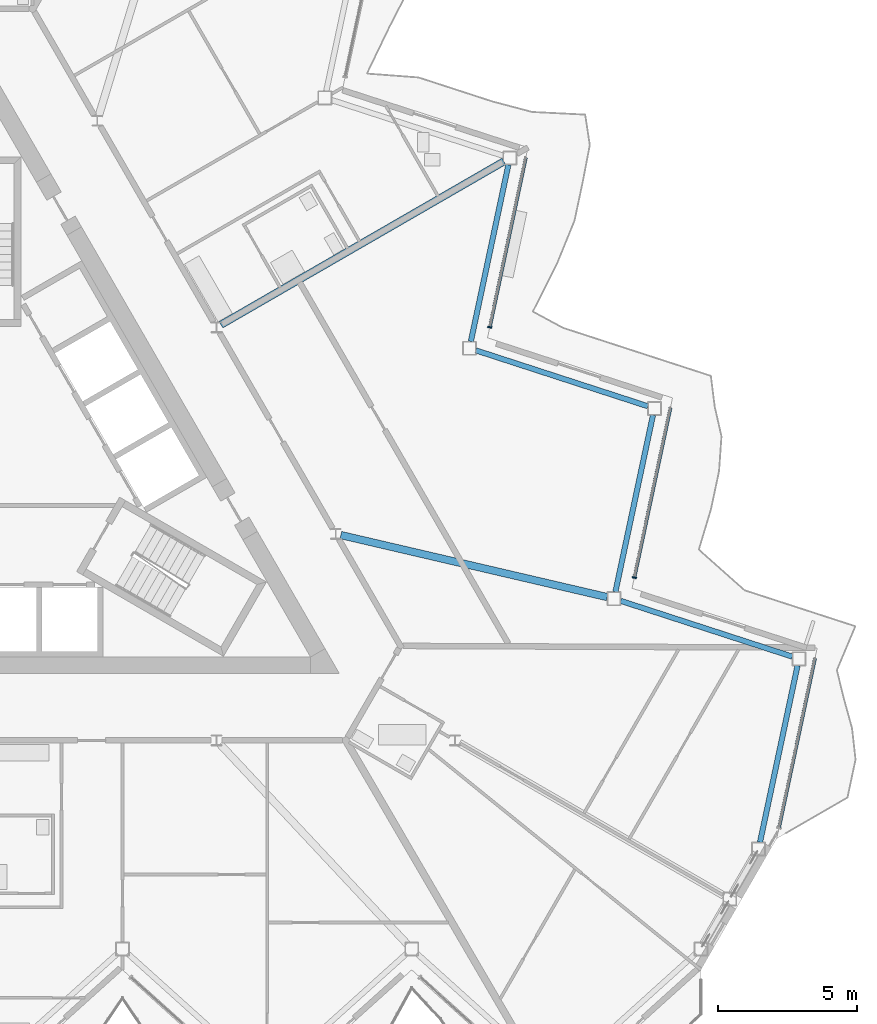
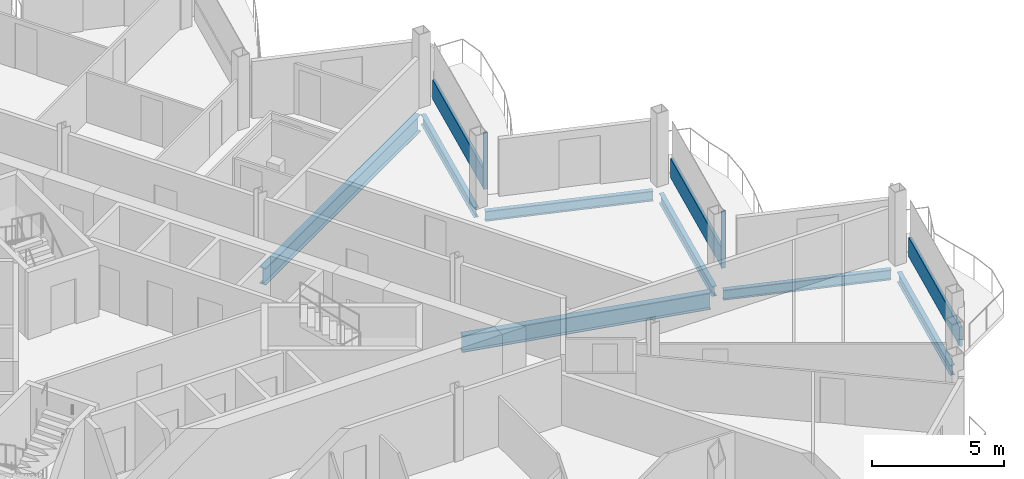
# One storey, part 8 of 26: 7 beams, 5 members, 3 elements without a shape of their own.
"""IFC4 building model written with IfcOpenShell, lengths in metres."""

from ifc_helpers import new_model, si_unit, direction, frame, origin, origin_2d, place, context, subcontext, project, spatial, rectangle, i_section, extrude, material, layer, layer_set, material_profile, profile_set, type_object, element, aggregate, save


model = new_model("IFC4")

# Units and contexts
model_context = context("Model", 3, precision=1e-05, world=origin(), true_north=direction((0.0, 1.0)))
body_context = subcontext(model_context, "Body", "Model", "MODEL_VIEW")
ifc_project = project(units=[si_unit("LENGTHUNIT", "METRE"), si_unit("AREAUNIT", "SQUARE_METRE"), si_unit("VOLUMEUNIT", "CUBIC_METRE"), si_unit("PLANEANGLEUNIT", "RADIAN"), si_unit("MASSUNIT", "GRAM", prefix="KILO")], contexts=[model_context])

# Site, building, storey
site_placement = place(None, origin())
site = spatial("IfcSite", under=ifc_project, at=site_placement, CompositionType="ELEMENT")
building_placement = place(site_placement, origin())
building = spatial("IfcBuilding", under=site, at=building_placement, Name="Cormorant Prow Tower", CompositionType="ELEMENT")
storey_placement = place(building_placement, frame((0.0, 0.0, 364.39990234375)))
storey = spatial("IfcBuildingStorey", under=building, at=storey_placement, Name="L81", CompositionType="ELEMENT", Elevation=364.39990234375)

# Beams
ifc_material_1 = material(Name="Structural steel ASTM A992 Gr 50", Category="steel")
ifc_material_profile_1 = material_profile(ifc_material_1, i_section(OverallWidth=0.267822265625, OverallDepth=0.77001953125, WebThickness=0.015625, FlangeThickness=0.025390625, at=origin_2d()), Name="W30x132")
ifc_profile_set_1 = profile_set([ifc_material_profile_1], Name="Structural steel ASTM A992 Gr 50")
beam_type_1 = type_object("IfcBeamType", Name="Radial floor beam W30x132", PredefinedType="BEAM", material=ifc_profile_set_1)
beam_1_placement = place(storey_placement, frame((13.0498046875, -2.518798828125, -0.684814453125), z_axis=(0.973926084128, -0.226865560752, 0.0), x_axis=(0.226865560752, 0.973926084128, 0.0)))
element("IfcBeam", 1, at=beam_1_placement, inside=storey, type_object=beam_type_1, Name="Radial floor beam FB3 10 L81", PredefinedType="BEAM", context=body_context, shape_type="SweptSolid", body=[
    extrude(i_section(OverallWidth=0.267822265625, OverallDepth=0.77001953125, WebThickness=0.015625, FlangeThickness=0.025390625, at=origin_2d()), origin(), (0.0, 0.0, 1.0), 9.837158203125),
])
beam_2_placement = place(storey_placement, frame((8.740478515625, 5.04638671875, -0.684814453125), z_axis=(0.866026702285, 0.499997750924, 0.0), x_axis=(-0.499997750924, 0.866026702285, 0.0)))
element("IfcBeam", 2, at=beam_2_placement, inside=storey, type_object=beam_type_1, Name="Radial floor beam FB3 11 L81", PredefinedType="BEAM", context=body_context, shape_type="SweptSolid", body=[
    extrude(i_section(OverallWidth=0.267822265625, OverallDepth=0.77001953125, WebThickness=0.015625, FlangeThickness=0.025390625, at=origin_2d()), origin(), (0.0, 0.0, 1.0), 11.7451171875),
])

# Curtain wall, member
ifc_material_2 = material(Name="Aluminium 6063-T6", Category="aluminium")
ifc_layer = layer(ifc_material_2, 0.159912109375)
ifc_layer_set = layer_set([ifc_layer], Name="Aluminium 6063-T6")
curtain_wall_type = type_object("IfcCurtainWallType", Name="Residential unitised curtain wall 160", PredefinedType="NOTDEFINED", material=ifc_layer_set)
curtain_wall_1_placement = place(storey_placement, origin())
curtain_wall_1 = element("IfcCurtainWall", 3, at=curtain_wall_1_placement, inside=storey, type_object=curtain_wall_type, Name="Residential curtain wall ENE02", PredefinedType="NOTDEFINED")
ifc_material_3 = material(Name="Aluminium 6063-T6", Category="aluminium")
ifc_material_profile_2 = material_profile(ifc_material_3, rectangle(XDim=0.159912109375, YDim=0.050048828125, at=origin_2d()), Name="Residential mullion 50x160")
ifc_profile_set_2 = profile_set([ifc_material_profile_2], Name="Aluminium 6063-T6")
member_type_1 = type_object("IfcMemberType", Name="Residential mullion 50x160", PredefinedType="MULLION", material=ifc_profile_set_2)
member_1_placement = place(storey_placement, frame((23.60595703125, -4.048828125, 0.0), z_axis=(0.0, 0.0, 1.0), x_axis=(-0.978147580525, 0.207911785891, 0.0)))
member_1 = element("IfcMember", 4, at=member_1_placement, type_object=member_type_1, Name="Residential mullion ENE02", PredefinedType="MULLION", context=body_context, shape_type="SweptSolid", body=[
    extrude(rectangle(XDim=0.159912109375, YDim=0.050048828125, at=origin_2d()), origin(), (0.0, 0.0, 1.0), 2.634033203125),
])

curtain_wall_2_placement = place(storey_placement, origin())
curtain_wall_2 = element("IfcCurtainWall", 5, at=curtain_wall_2_placement, inside=storey, type_object=curtain_wall_type, Name="Residential curtain wall ENE04", PredefinedType="NOTDEFINED")
member_2_placement = place(storey_placement, frame((18.406005859375, 4.957763671875, 0.0), z_axis=(0.0, 0.0, 1.0), x_axis=(-0.978147586701, 0.207911756835, 0.0)))
member_2 = element("IfcMember", 6, at=member_2_placement, type_object=member_type_1, Name="Residential mullion ENE04", PredefinedType="MULLION", context=body_context, shape_type="SweptSolid", body=[
    extrude(rectangle(XDim=0.159912109375, YDim=0.050048828125, at=origin_2d()), origin(), (0.0, 0.0, 1.0), 2.634033203125),
])

curtain_wall_3_placement = place(storey_placement, origin())
curtain_wall_3 = element("IfcCurtainWall", 7, at=curtain_wall_3_placement, inside=storey, type_object=curtain_wall_type, Name="Residential curtain wall ENE00", PredefinedType="NOTDEFINED")
ifc_material_4 = material(Name="Terracotta", Category="masonry")
ifc_material_profile_3 = material_profile(ifc_material_4, rectangle(XDim=0.1201171875, YDim=0.89990234375, at=origin_2d()), Name="Residential terracotta spandrel rail 120x900")
ifc_profile_set_3 = profile_set([ifc_material_profile_3], Name="Terracotta")
member_type_2 = type_object("IfcMemberType", Name="Residential terracotta spandrel rail 120x900", PredefinedType="USERDEFINED", material=ifc_profile_set_3)
member_3_placement = place(storey_placement, frame((28.811279296875, -13.031005859375, 0.4501953125), z_axis=(0.207916541247, 0.978146569731, 0.0), x_axis=(-0.978146569731, 0.207916541247, 0.0)))
member_3 = element("IfcMember", 8, at=member_3_placement, type_object=member_type_2, Name="Residential spandrel rail ENE00", ObjectType="TRANSOM", PredefinedType="USERDEFINED", context=body_context, shape_type="SweptSolid", body=[
    extrude(rectangle(XDim=0.1201171875, YDim=0.89990234375, at=origin_2d()), origin(), (0.0, 0.0, 1.0), 6.215087890625),
])
aggregate(curtain_wall_3, [member_3])

# Member
member_4_placement = place(storey_placement, frame((23.611328125, -4.0244140625, 0.4501953125), z_axis=(0.207908552773, 0.978148267741, 0.0), x_axis=(-0.978148267741, 0.207908552773, 0.0)))
member_4 = element("IfcMember", 9, at=member_4_placement, type_object=member_type_2, Name="Residential spandrel rail ENE02", ObjectType="TRANSOM", PredefinedType="USERDEFINED", context=body_context, shape_type="SweptSolid", body=[
    extrude(rectangle(XDim=0.1201171875, YDim=0.89990234375, at=origin_2d()), origin(), (0.0, 0.0, 1.0), 6.21533203125),
])

aggregate(curtain_wall_1, [member_1, member_4])

member_5_placement = place(storey_placement, frame((18.4111328125, 4.982177734375, 0.4501953125), z_axis=(0.207908552773, 0.978148267741, 0.0), x_axis=(-0.978148267741, 0.207908552773, 0.0)))
member_5 = element("IfcMember", 10, at=member_5_placement, type_object=member_type_2, Name="Residential spandrel rail ENE04", ObjectType="TRANSOM", PredefinedType="USERDEFINED", context=body_context, shape_type="SweptSolid", body=[
    extrude(rectangle(XDim=0.1201171875, YDim=0.89990234375, at=origin_2d()), origin(), (0.0, 0.0, 1.0), 6.21533203125),
])

aggregate(curtain_wall_2, [member_2, member_5])

# Beams
ifc_material_5 = material(Name="Structural steel ASTM A992 Gr 50", Category="steel")
ifc_material_profile_4 = material_profile(ifc_material_5, i_section(OverallWidth=0.19287109375, OverallDepth=0.466064453125, WebThickness=0.011474609375, FlangeThickness=0.01904296875, at=origin_2d()), Name="W18x65")
ifc_profile_set_4 = profile_set([ifc_material_profile_4], Name="Structural steel ASTM A992 Gr 50")
beam_type_2 = type_object("IfcBeamType", Name="Spandrel beam W18x65", PredefinedType="SPANDREL", material=ifc_profile_set_4)
beam_3_placement = place(storey_placement, frame((28.125732421875, -13.5693359375, -0.532958984375), z_axis=(0.207901897373, 0.978149682344, 0.0), x_axis=(-0.978149682344, 0.207901897373, 0.0)))
element("IfcBeam", 11, at=beam_3_placement, inside=storey, type_object=beam_type_2, Name="Spandrel beam SB4 ENE00-ENE01 L81", PredefinedType="SPANDREL", context=body_context, shape_type="SweptSolid", body=[
    extrude(i_section(OverallWidth=0.19287109375, OverallDepth=0.466064453125, WebThickness=0.011474609375, FlangeThickness=0.01904296875, at=origin_2d()), origin(), (0.0, 0.0, 1.0), 6.49755859375),
])
for number, where, z_axis, x_axis, name in (
    (12, (29.290771484375, -6.89208984375, -0.532958984375), (-0.951053396625, 0.309026595569, 0.0), (-0.309026595569, -0.951053396625, 0.0), "Spandrel beam SB4 ENE01-ENE02 L81"),
    (13, (22.92578125, -4.5625, -0.532958984375), (0.207909538847, 0.978148058147, 0.0), (-0.978148058147, 0.207909538847, 0.0), "Spandrel beam SB4 ENE02-ENE03 L81"),
    (14, (24.0908203125, 2.114501953125, -0.532958984375), (-0.951053396625, 0.309026595569, 0.0), (-0.309026595569, -0.951053396625, 0.0), "Spandrel beam SB4 ENE03-ENE04 L81"),
    (15, (17.725830078125, 4.444091796875, -0.532958984375), (0.207909538847, 0.978148058147, 0.0), (-0.978148058147, 0.207909538847, 0.0), "Spandrel beam SB4 ENE04-ENE05 L81"),
):
    element("IfcBeam", number, at=place(storey_placement, frame(where, z_axis=z_axis, x_axis=x_axis)), inside=storey, type_object=beam_type_2, Name=name, PredefinedType="SPANDREL", context=body_context, shape_type="SweptSolid", body=[
        extrude(i_section(OverallWidth=0.19287109375, OverallDepth=0.466064453125, WebThickness=0.011474609375, FlangeThickness=0.01904296875, at=origin_2d()), origin(), (0.0, 0.0, 1.0), 6.497314453125),
    ])

save(model, "model.ifc")
